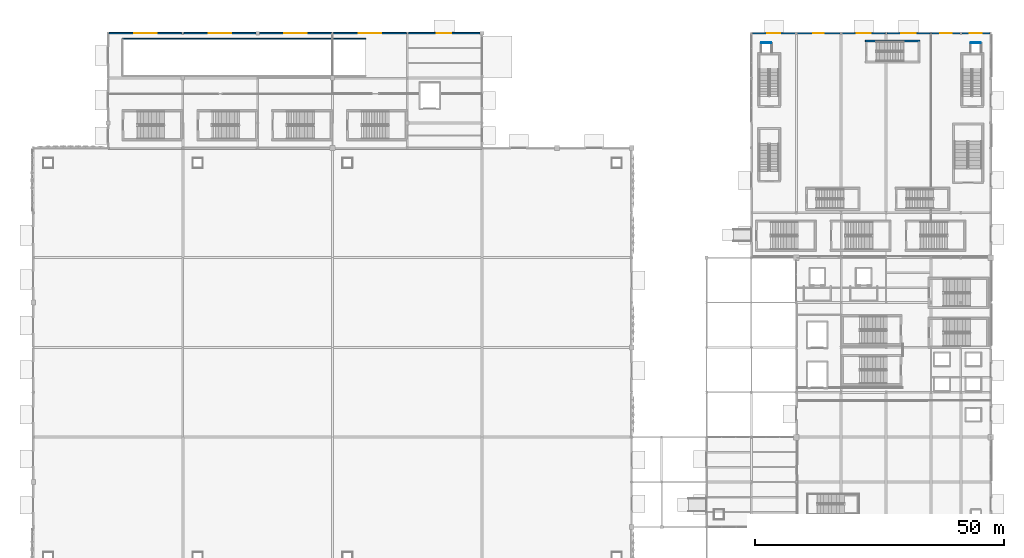
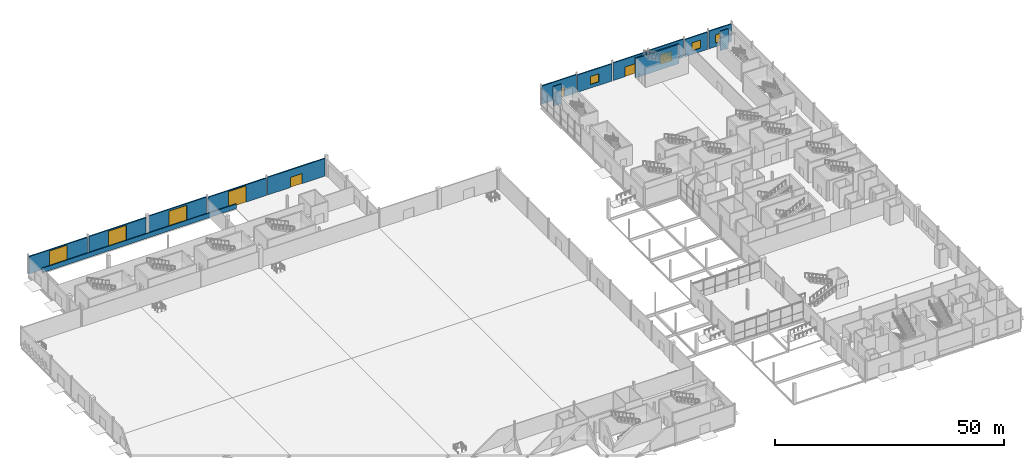
# One storey, part 64 of 94: 15 walls, 8 doors, 3 windows, 11 openings.
"""IFC4 building model written with IfcOpenShell, lengths in metres."""

from ifc_helpers import new_model, si_unit, direction, frame, frame_2d, origin, place, context, subcontext, project, spatial, rectangle, extrude, material, layer, layer_set, type_object, element, fill, save


model = new_model("IFC4")

# Units and contexts
model_context = context("Model", 3, precision=1e-05, world=origin(), true_north=direction((0.0, 1.0)))
body_context = subcontext(model_context, "Body", "Model", "MODEL_VIEW")
ifc_project = project(units=[si_unit("LENGTHUNIT", "METRE"), si_unit("AREAUNIT", "SQUARE_METRE"), si_unit("VOLUMEUNIT", "CUBIC_METRE"), si_unit("PLANEANGLEUNIT", "RADIAN"), si_unit("MASSUNIT", "GRAM", prefix="KILO")], contexts=[model_context])

# Site, building, storey
site_placement = place(None, origin())
site = spatial("IfcSite", under=ifc_project, at=site_placement, CompositionType="ELEMENT")
building_placement = place(site_placement, origin())
building = spatial("IfcBuilding", under=site, at=building_placement, Name="Qamarlyn Nura Convention Centre", CompositionType="ELEMENT")
storey_placement = place(building_placement, origin())
storey = spatial("IfcBuildingStorey", under=building, at=storey_placement, Name="L00", CompositionType="ELEMENT", Elevation=0.0)

# Wall
ifc_material_1 = material(Name="Concrete C50/60", Category="concrete")
ifc_layer_1 = layer(ifc_material_1, 0.35009765625, Name="WT-CORE-350")
ifc_layer_set_1 = layer_set([ifc_layer_1], Name="Concrete C50/60")
wall_type_1 = type_object("IfcWallType", Name="WT-CORE-350", PredefinedType="SHEAR", material=ifc_layer_set_1)
wall_1_placement = place(storey_placement, frame((177.75, 124.455078125, 0.0), z_axis=(0.0, 0.0, 1.0), x_axis=(-1.0, 0.0, 0.0)))
element("IfcWall", 1, at=wall_1_placement, inside=storey, type_object=wall_type_1, Name="L00 stair core shear wall ST-VOM5-N", PredefinedType="SHEAR", context=body_context, shape_type="SweptSolid", body=[
    extrude(rectangle(XDim=10.89990234375, YDim=0.35009765625, at=frame_2d((5.449951171875, 0.0))), origin(), (0.0, 0.0, 1.0), 5.159912109375),
])

# Wall, opening, door
ifc_material_2 = material(Name="Concrete C40/50", Category="concrete")
ifc_layer_2 = layer(ifc_material_2, 0.280029296875, Name="WT-EXT-280")
ifc_layer_set_2 = layer_set([ifc_layer_2], Name="Concrete C40/50")
wall_type_2 = type_object("IfcWallType", Name="WT-EXT-280", PredefinedType="SOLIDWALL", material=ifc_layer_set_2)
wall_2_placement = place(storey_placement, frame((144.175048828125, 126.0, 0.0), z_axis=(0.0, 0.0, 1.0), x_axis=(1.0, 0.0, 0.0)))
wall_2 = element("IfcWall", 2, at=wall_2_placement, inside=storey, type_object=wall_type_2, Name="L00 exterior facade wall WEXT-L00-1442-1260-1528-1260", PredefinedType="SOLIDWALL", context=body_context, shape_type="SweptSolid", body=[
    extrude(rectangle(XDim=8.64990234375, YDim=0.280029296875, at=frame_2d((4.324951171875, 0.0))), origin(), (0.0, 0.0, 1.0), 4.844970703125),
])
opening_1_placement = place(wall_2_placement, frame((3.0, 0.0, 0.0)))
opening_1 = element("IfcOpeningElement", 3, at=opening_1_placement, cuts=wall_2, Name="Opening E-53", PredefinedType="OPENING", context=body_context, shape_type="SweptSolid", body=[
    extrude(rectangle(XDim=2.64990234375, YDim=2.52001953125, at=frame_2d((1.324951171875, 1.260009765625))), frame((0.0, 0.14990234375, 0.0), z_axis=(0.0, -1.0, 0.0), x_axis=(1.0, 0.0, 0.0)), (0.0, 0.0, 1.0), 0.300048828125),
])
ifc_material_3 = material(Name="Champagne-anodised marine aluminium", Category="aluminium")
door_type_1 = type_object("IfcDoorType", Name="DR-EXIT-2650", OperationType="DOUBLE_DOOR_SINGLE_SWING", PredefinedType="DOOR", material=ifc_material_3)
door_1_placement = place(opening_1_placement, origin())
door_1 = element("IfcDoor", 4, at=door_1_placement, inside=storey, type_object=door_type_1, Name="Final exit E-53", OperationType="DOUBLE_DOOR_SINGLE_SWING", OverallHeight=2.52001953125, OverallWidth=2.64990234375, PredefinedType="DOOR", context=body_context, shape_type="SweptSolid", body=[
    extrude(rectangle(XDim=2.64990234375, YDim=2.52001953125, at=frame_2d((1.324951171875, 1.260009765625))), frame((0.0, 0.02490234375, 0.0), z_axis=(0.0, -1.0, 0.0), x_axis=(1.0, 0.0, 0.0)), (0.0, 0.0, 1.0), 0.050048828125),
])
fill(opening_1, door_1)

# Wall, opening, window
wall_3_placement = place(storey_placement, frame((153.175048828125, 126.0, 0.0), z_axis=(0.0, 0.0, 1.0), x_axis=(1.0, 0.0, 0.0)))
wall_3 = element("IfcWall", 5, at=wall_3_placement, inside=storey, type_object=wall_type_2, Name="L00 exterior facade wall WEXT-L00-1532-1260-1618-1260", PredefinedType="SOLIDWALL", context=body_context, shape_type="SweptSolid", body=[
    extrude(rectangle(XDim=8.625, YDim=0.280029296875, at=frame_2d((4.3125, 0.0))), origin(), (0.0, 0.0, 1.0), 4.60595703125),
])
opening_2_placement = place(wall_3_placement, frame((3.262451171875, 0.0, 0.949951171875)))
opening_2 = element("IfcOpeningElement", 6, at=opening_2_placement, cuts=wall_3, Name="Opening WN17", PredefinedType="OPENING", context=body_context, shape_type="SweptSolid", body=[
    extrude(rectangle(XDim=2.10009765625, YDim=2.14990234375, at=frame_2d((1.050048828125, 1.074951171875))), frame((0.0, 0.14990234375, 0.0), z_axis=(0.0, -1.0, 0.0), x_axis=(1.0, 0.0, 0.0)), (0.0, 0.0, 1.0), 0.300048828125),
])
ifc_material_4 = material(Name="Double-silver low-E insulated glass", Category="glass")
window_type_1 = type_object("IfcWindowType", Name="WIN-SOL-17", PartitioningType="SINGLE_PANEL", PredefinedType="WINDOW", material=ifc_material_4)
window_1_placement = place(opening_2_placement, origin())
window_1 = element("IfcWindow", 7, at=window_1_placement, inside=storey, type_object=window_type_1, Name="L00 solar-control window 017", OverallHeight=2.14990234375, OverallWidth=2.10009765625, PartitioningType="SINGLE_PANEL", PredefinedType="WINDOW", context=body_context, shape_type="SweptSolid", body=[
    extrude(rectangle(XDim=2.10009765625, YDim=2.14990234375, at=frame_2d((1.050048828125, 1.074951171875))), frame((0.0, 0.030029296875, 0.0), z_axis=(0.0, -1.0, 0.0), x_axis=(1.0, 0.0, 0.0)), (0.0, 0.0, 1.0), 0.06005859375),
])
fill(opening_2, window_1)

# Wall, opening, door
wall_4_placement = place(storey_placement, frame((162.199951171875, 126.0, 0.0), z_axis=(0.0, 0.0, 1.0), x_axis=(1.0, 0.0, 0.0)))
wall_4 = element("IfcWall", 8, at=wall_4_placement, inside=storey, type_object=wall_type_2, Name="L00 exterior facade wall WEXT-L00-1622-1260-1708-1260", PredefinedType="SOLIDWALL", context=body_context, shape_type="SweptSolid", body=[
    extrude(rectangle(XDim=8.6005859375, YDim=0.280029296875, at=frame_2d((4.30029296875, 0.0))), origin(), (0.0, 0.0, 1.0), 4.678955078125),
])
opening_3_placement = place(wall_4_placement, frame((2.92529296875, 0.0, 0.0)))
opening_3 = element("IfcOpeningElement", 9, at=opening_3_placement, cuts=wall_4, Name="Opening E-54", PredefinedType="OPENING", context=body_context, shape_type="SweptSolid", body=[
    extrude(rectangle(XDim=2.75, YDim=2.580078125, at=frame_2d((1.375, 1.2900390625))), frame((0.0, 0.14990234375, 0.0), z_axis=(0.0, -1.0, 0.0), x_axis=(1.0, 0.0, 0.0)), (0.0, 0.0, 1.0), 0.300048828125),
])
door_type_2 = type_object("IfcDoorType", Name="DR-MAIN-2750", OperationType="DOUBLE_DOOR_SINGLE_SWING", PredefinedType="DOOR", material=ifc_material_3)
door_2_placement = place(opening_3_placement, origin())
door_2 = element("IfcDoor", 10, at=door_2_placement, inside=storey, type_object=door_type_2, Name="Final exit E-54", OperationType="DOUBLE_DOOR_SINGLE_SWING", OverallHeight=2.580078125, OverallWidth=2.75, PredefinedType="DOOR", context=body_context, shape_type="SweptSolid", body=[
    extrude(rectangle(XDim=2.75, YDim=2.580078125, at=frame_2d((1.375, 1.2900390625))), frame((0.0, 0.02490234375, 0.0), z_axis=(0.0, -1.0, 0.0), x_axis=(1.0, 0.0, 0.0)), (0.0, 0.0, 1.0), 0.050048828125),
])
fill(opening_3, door_2)

wall_5_placement = place(storey_placement, frame((171.199462890625, 126.0, 0.0), z_axis=(0.0, 0.0, 1.0), x_axis=(1.0, 0.0, 0.0)))
wall_5 = element("IfcWall", 11, at=wall_5_placement, inside=storey, type_object=wall_type_2, Name="L00 exterior facade wall WEXT-L00-1712-1260-1798-1260", PredefinedType="SOLIDWALL", context=body_context, shape_type="SweptSolid", body=[
    extrude(rectangle(XDim=8.613525390625, YDim=0.280029296875, at=frame_2d((4.306640625, 0.0))), origin(), (0.0, 0.0, 1.0), 4.844970703125),
])
opening_4_placement = place(wall_5_placement, frame((2.881591796875, 0.0, 0.0)))
opening_4 = element("IfcOpeningElement", 12, at=opening_4_placement, cuts=wall_5, Name="Opening E-55", PredefinedType="OPENING", context=body_context, shape_type="SweptSolid", body=[
    extrude(rectangle(XDim=2.85009765625, YDim=2.6201171875, at=frame_2d((1.425048828125, 1.31005859375))), frame((0.0, 0.14990234375, 0.0), z_axis=(0.0, -1.0, 0.0), x_axis=(1.0, 0.0, 0.0)), (0.0, 0.0, 1.0), 0.300048828125),
])
door_type_3 = type_object("IfcDoorType", Name="DR-MAIN-2850", OperationType="DOUBLE_DOOR_SINGLE_SWING", PredefinedType="DOOR", material=ifc_material_3)
door_3_placement = place(opening_4_placement, origin())
door_3 = element("IfcDoor", 13, at=door_3_placement, inside=storey, type_object=door_type_3, Name="Final exit E-55", OperationType="DOUBLE_DOOR_SINGLE_SWING", OverallHeight=2.6201171875, OverallWidth=2.85009765625, PredefinedType="DOOR", context=body_context, shape_type="SweptSolid", body=[
    extrude(rectangle(XDim=2.85009765625, YDim=2.6201171875, at=frame_2d((1.425048828125, 1.31005859375))), frame((0.0, 0.02490234375, 0.0), z_axis=(0.0, -1.0, 0.0), x_axis=(1.0, 0.0, 0.0)), (0.0, 0.0, 1.0), 0.050048828125),
])
fill(opening_4, door_3)

# Wall, opening, window
wall_6_placement = place(storey_placement, frame((180.18701171875, 126.0, 0.0), z_axis=(0.0, 0.0, 1.0), x_axis=(1.0, 0.0, 0.0)))
wall_6 = element("IfcWall", 14, at=wall_6_placement, inside=storey, type_object=wall_type_2, Name="L00 exterior facade wall WEXT-L00-1802-1260-1858-1260", PredefinedType="SOLIDWALL", context=body_context, shape_type="SweptSolid", body=[
    extrude(rectangle(XDim=5.637939453125, YDim=0.280029296875, at=frame_2d((2.81884765625, 0.0))), origin(), (0.0, 0.0, 1.0), 4.60595703125),
])
opening_5_placement = place(wall_6_placement, frame((1.694091796875, 0.0, 0.949951171875)))
opening_5 = element("IfcOpeningElement", 15, at=opening_5_placement, cuts=wall_6, Name="Opening WN18", PredefinedType="OPENING", context=body_context, shape_type="SweptSolid", body=[
    extrude(rectangle(XDim=2.25, YDim=2.14990234375, at=frame_2d((1.125, 1.074951171875))), frame((0.0, 0.14990234375, 0.0), z_axis=(0.0, -1.0, 0.0), x_axis=(1.0, 0.0, 0.0)), (0.0, 0.0, 1.0), 0.300048828125),
])
window_type_2 = type_object("IfcWindowType", Name="WIN-SOL-18", PartitioningType="SINGLE_PANEL", PredefinedType="WINDOW", material=ifc_material_4)
window_2_placement = place(opening_5_placement, origin())
window_2 = element("IfcWindow", 16, at=window_2_placement, inside=storey, type_object=window_type_2, Name="L00 solar-control window 018", OverallHeight=2.14990234375, OverallWidth=2.25, PartitioningType="SINGLE_PANEL", PredefinedType="WINDOW", context=body_context, shape_type="SweptSolid", body=[
    extrude(rectangle(XDim=2.25, YDim=2.14990234375, at=frame_2d((1.125, 1.074951171875))), frame((0.0, 0.030029296875, 0.0), z_axis=(0.0, -1.0, 0.0), x_axis=(1.0, 0.0, 0.0)), (0.0, 0.0, 1.0), 0.06005859375),
])
fill(opening_5, window_2)

wall_7_placement = place(storey_placement, frame((186.175048828125, 126.0, 0.0), z_axis=(0.0, 0.0, 1.0), x_axis=(1.0, 0.0, 0.0)))
wall_7 = element("IfcWall", 17, at=wall_7_placement, inside=storey, type_object=wall_type_2, Name="L00 exterior facade wall WEXT-L00-1862-1260-1918-1260", PredefinedType="SOLIDWALL", context=body_context, shape_type="SweptSolid", body=[
    extrude(rectangle(XDim=5.637939453125, YDim=0.280029296875, at=frame_2d((2.81884765625, 0.0))), origin(), (0.0, 0.0, 1.0), 4.678955078125),
])
opening_6_placement = place(wall_7_placement, frame((1.618896484375, 0.0, 0.949951171875)))
opening_6 = element("IfcOpeningElement", 18, at=opening_6_placement, cuts=wall_7, Name="Opening WN19", PredefinedType="OPENING", context=body_context, shape_type="SweptSolid", body=[
    extrude(rectangle(XDim=2.39990234375, YDim=2.199951171875, at=frame_2d((1.199951171875, 1.10009765625))), frame((0.0, 0.14990234375, 0.0), z_axis=(0.0, -1.0, 0.0), x_axis=(1.0, 0.0, 0.0)), (0.0, 0.0, 1.0), 0.300048828125),
])
window_type_3 = type_object("IfcWindowType", Name="WIN-SOL-19", PartitioningType="SINGLE_PANEL", PredefinedType="WINDOW", material=ifc_material_4)
window_3_placement = place(opening_6_placement, origin())
window_3 = element("IfcWindow", 19, at=window_3_placement, inside=storey, type_object=window_type_3, Name="L00 solar-control window 019", OverallHeight=2.199951171875, OverallWidth=2.39990234375, PartitioningType="SINGLE_PANEL", PredefinedType="WINDOW", context=body_context, shape_type="SweptSolid", body=[
    extrude(rectangle(XDim=2.39990234375, YDim=2.199951171875, at=frame_2d((1.199951171875, 1.10009765625))), frame((0.0, 0.030029296875, 0.0), z_axis=(0.0, -1.0, 0.0), x_axis=(1.0, 0.0, 0.0)), (0.0, 0.0, 1.0), 0.06005859375),
])
fill(opening_6, window_3)

# Wall, opening, door
ifc_material_5 = material(Name="Concrete C40/50 with UAE coastal limestone stone facing", Category="masonry")
ifc_layer_3 = layer(ifc_material_5, 0.300048828125, Name="WT-LIME-300")
ifc_layer_set_3 = layer_set([ifc_layer_3], Name="Concrete C40/50 with UAE coastal limestone stone facing")
wall_type_3 = type_object("IfcWallType", Name="WT-LIME-300", PredefinedType="SOLIDWALL", material=ifc_layer_set_3)
wall_8_placement = place(storey_placement, frame((15.152587890625, 126.0, 0.0), z_axis=(0.0, 0.0, 1.0), x_axis=(1.0, 0.0, 0.0)))
wall_8 = element("IfcWall", 20, at=wall_8_placement, inside=storey, type_object=wall_type_3, Name="L00 exterior facade wall WEXT-L00-152-1260-298-1260", PredefinedType="SOLIDWALL", context=body_context, shape_type="SweptSolid", body=[
    extrude(rectangle(XDim=14.660400390625, YDim=0.300048828125, at=frame_2d((7.330078125, 0.0))), origin(), (0.0, 0.0, 1.0), 4.6259765625),
])
opening_7_placement = place(wall_8_placement, frame((5.080078125, 0.0, 0.0)))
opening_7 = element("IfcOpeningElement", 21, at=opening_7_placement, cuts=wall_8, Name="Opening VE-01", PredefinedType="OPENING", context=body_context, shape_type="SweptSolid", body=[
    extrude(rectangle(XDim=4.5, YDim=4.330078125, at=frame_2d((2.25, 2.1650390625))), frame((0.0, 0.16015625, 0.0), z_axis=(0.0, -1.0, 0.0), x_axis=(1.0, 0.0, 0.0)), (0.0, 0.0, 1.0), 0.320068359375),
])
ifc_material_6 = material(Name="Steel ASTM A500 Grade C", Category="steel")
door_type_4 = type_object("IfcDoorType", Name="DR-HGV-4500", OperationType="ROLLINGUP", PredefinedType="DOOR", material=ifc_material_6)
door_4_placement = place(opening_7_placement, origin())
door_4 = element("IfcDoor", 22, at=door_4_placement, inside=storey, type_object=door_type_4, Name="Vehicle loading door VE-01", OperationType="ROLLINGUP", OverallHeight=4.330078125, OverallWidth=4.5, PredefinedType="DOOR", context=body_context, shape_type="SweptSolid", body=[
    extrude(rectangle(XDim=4.5, YDim=4.330078125, at=frame_2d((2.25, 2.1650390625))), frame((0.0, 0.02490234375, 0.0), z_axis=(0.0, -1.0, 0.0), x_axis=(1.0, 0.0, 0.0)), (0.0, 0.0, 1.0), 0.050048828125),
])
fill(opening_7, door_4)

wall_9_placement = place(storey_placement, frame((30.18701171875, 126.0, 0.0), z_axis=(0.0, 0.0, 1.0), x_axis=(1.0, 0.0, 0.0)))
wall_9 = element("IfcWall", 23, at=wall_9_placement, inside=storey, type_object=wall_type_3, Name="L00 exterior facade wall WEXT-L00-302-1260-446-1260", PredefinedType="SOLIDWALL", context=body_context, shape_type="SweptSolid", body=[
    extrude(rectangle(XDim=14.43798828125, YDim=0.300048828125, at=frame_2d((7.218994140625, 0.0))), origin(), (0.0, 0.0, 1.0), 4.698974609375),
])
opening_8_placement = place(wall_9_placement, frame((4.968994140625, 0.0, 0.0)))
opening_8 = element("IfcOpeningElement", 24, at=opening_8_placement, cuts=wall_9, Name="Opening VE-02", PredefinedType="OPENING", context=body_context, shape_type="SweptSolid", body=[
    extrude(rectangle(XDim=4.5, YDim=4.39990234375, at=frame_2d((2.25, 2.199951171875))), frame((0.0, 0.16015625, 0.0), z_axis=(0.0, -1.0, 0.0), x_axis=(1.0, 0.0, 0.0)), (0.0, 0.0, 1.0), 0.320068359375),
])
door_5_placement = place(opening_8_placement, origin())
door_5 = element("IfcDoor", 25, at=door_5_placement, inside=storey, type_object=door_type_4, Name="Vehicle loading door VE-02", OperationType="ROLLINGUP", OverallHeight=4.39990234375, OverallWidth=4.5, PredefinedType="DOOR", context=body_context, shape_type="SweptSolid", body=[
    extrude(rectangle(XDim=4.5, YDim=4.39990234375, at=frame_2d((2.25, 2.199951171875))), frame((0.0, 0.02490234375, 0.0), z_axis=(0.0, -1.0, 0.0), x_axis=(1.0, 0.0, 0.0)), (0.0, 0.0, 1.0), 0.050048828125),
])
fill(opening_8, door_5)

wall_10_placement = place(storey_placement, frame((45.375, 126.0, 0.0), z_axis=(0.0, 0.0, 1.0), x_axis=(1.0, 0.0, 0.0)))
wall_10 = element("IfcWall", 26, at=wall_10_placement, inside=storey, type_object=wall_type_3, Name="L00 exterior facade wall WEXT-L00-454-1260-598-1260", PredefinedType="SOLIDWALL", context=body_context, shape_type="SweptSolid", body=[
    extrude(rectangle(XDim=14.43798828125, YDim=0.300048828125, at=frame_2d((7.218994140625, 0.0))), origin(), (0.0, 0.0, 1.0), 4.864990234375),
])
opening_9_placement = place(wall_10_placement, frame((4.968994140625, 0.0, 0.0)))
opening_9 = element("IfcOpeningElement", 27, at=opening_9_placement, cuts=wall_10, Name="Opening VE-03", PredefinedType="OPENING", context=body_context, shape_type="SweptSolid", body=[
    extrude(rectangle(XDim=4.5, YDim=4.39990234375, at=frame_2d((2.25, 2.199951171875))), frame((0.0, 0.16015625, 0.0), z_axis=(0.0, -1.0, 0.0), x_axis=(1.0, 0.0, 0.0)), (0.0, 0.0, 1.0), 0.320068359375),
])
door_6_placement = place(opening_9_placement, origin())
door_6 = element("IfcDoor", 28, at=door_6_placement, inside=storey, type_object=door_type_4, Name="Vehicle loading door VE-03", OperationType="ROLLINGUP", OverallHeight=4.39990234375, OverallWidth=4.5, PredefinedType="DOOR", context=body_context, shape_type="SweptSolid", body=[
    extrude(rectangle(XDim=4.5, YDim=4.39990234375, at=frame_2d((2.25, 2.199951171875))), frame((0.0, 0.02490234375, 0.0), z_axis=(0.0, -1.0, 0.0), x_axis=(1.0, 0.0, 0.0)), (0.0, 0.0, 1.0), 0.050048828125),
])
fill(opening_9, door_6)

wall_11_placement = place(storey_placement, frame((60.18701171875, 126.0, 0.0), z_axis=(0.0, 0.0, 1.0), x_axis=(1.0, 0.0, 0.0)))
wall_11 = element("IfcWall", 29, at=wall_11_placement, inside=storey, type_object=wall_type_3, Name="L00 exterior facade wall WEXT-L00-602-1260-748-1260", PredefinedType="SOLIDWALL", context=body_context, shape_type="SweptSolid", body=[
    extrude(rectangle(XDim=14.660400390625, YDim=0.300048828125, at=frame_2d((7.330078125, 0.0))), origin(), (0.0, 0.0, 1.0), 4.6259765625),
])
opening_10_placement = place(wall_11_placement, frame((5.080078125, 0.0, 0.0)))
opening_10 = element("IfcOpeningElement", 30, at=opening_10_placement, cuts=wall_11, Name="Opening VE-04", PredefinedType="OPENING", context=body_context, shape_type="SweptSolid", body=[
    extrude(rectangle(XDim=4.5, YDim=4.330078125, at=frame_2d((2.25, 2.1650390625))), frame((0.0, 0.16015625, 0.0), z_axis=(0.0, -1.0, 0.0), x_axis=(1.0, 0.0, 0.0)), (0.0, 0.0, 1.0), 0.320068359375),
])
door_7_placement = place(opening_10_placement, origin())
door_7 = element("IfcDoor", 31, at=door_7_placement, inside=storey, type_object=door_type_4, Name="Vehicle loading door VE-04", OperationType="ROLLINGUP", OverallHeight=4.330078125, OverallWidth=4.5, PredefinedType="DOOR", context=body_context, shape_type="SweptSolid", body=[
    extrude(rectangle(XDim=4.5, YDim=4.330078125, at=frame_2d((2.25, 2.1650390625))), frame((0.0, 0.02490234375, 0.0), z_axis=(0.0, -1.0, 0.0), x_axis=(1.0, 0.0, 0.0)), (0.0, 0.0, 1.0), 0.050048828125),
])
fill(opening_10, door_7)

wall_12_placement = place(storey_placement, frame((75.152587890625, 126.0, 0.0), z_axis=(0.0, 0.0, 1.0), x_axis=(1.0, 0.0, 0.0)))
wall_12 = element("IfcWall", 32, at=wall_12_placement, inside=storey, type_object=wall_type_3, Name="L00 exterior facade wall WEXT-L00-752-1260-896-1260", PredefinedType="SOLIDWALL", context=body_context, shape_type="SweptSolid", body=[
    extrude(rectangle(XDim=14.472412109375, YDim=0.300048828125, at=frame_2d((7.236328125, 0.0))), origin(), (0.0, 0.0, 1.0), 4.698974609375),
])
opening_11_placement = place(wall_12_placement, frame((5.76123046875, 0.0, 0.0)))
opening_11 = element("IfcOpeningElement", 33, at=opening_11_placement, cuts=wall_12, Name="Opening E-32", PredefinedType="OPENING", context=body_context, shape_type="SweptSolid", body=[
    extrude(rectangle(XDim=2.949951171875, YDim=2.679931640625, at=frame_2d((1.47509765625, 1.33984375))), frame((0.0, 0.16015625, 0.0), z_axis=(0.0, -1.0, 0.0), x_axis=(1.0, 0.0, 0.0)), (0.0, 0.0, 1.0), 0.320068359375),
])
door_type_5 = type_object("IfcDoorType", Name="DR-MAIN-2950", OperationType="DOUBLE_DOOR_SINGLE_SWING", PredefinedType="DOOR", material=ifc_material_3)
door_8_placement = place(opening_11_placement, origin())
door_8 = element("IfcDoor", 34, at=door_8_placement, inside=storey, type_object=door_type_5, Name="Final exit E-32", OperationType="DOUBLE_DOOR_SINGLE_SWING", OverallHeight=2.679931640625, OverallWidth=2.949951171875, PredefinedType="DOOR", context=body_context, shape_type="SweptSolid", body=[
    extrude(rectangle(XDim=2.949951171875, YDim=2.679931640625, at=frame_2d((1.47509765625, 1.33984375))), frame((0.0, 0.02490234375, 0.0), z_axis=(0.0, -1.0, 0.0), x_axis=(1.0, 0.0, 0.0)), (0.0, 0.0, 1.0), 0.050048828125),
])
fill(opening_11, door_8)

# Walls
ifc_layer_4 = layer(ifc_material_2, 0.205078125, Name="WT-PAR-205")
ifc_layer_set_4 = layer_set([ifc_layer_4], Name="Concrete C40/50")
wall_type_4 = type_object("IfcWallType", Name="WT-PAR-205", PredefinedType="PARAPET", material=ifc_layer_set_4)
wall_13_placement = place(storey_placement, frame((66.699951171875, 124.89990234375, 0.0), z_axis=(0.0, 0.0, 1.0), x_axis=(-1.0, 0.0, 0.0)))
element("IfcWall", 35, at=wall_13_placement, inside=storey, type_object=wall_type_4, Name="L00 car park ramp opening guard wall N", PredefinedType="PARAPET", context=body_context, shape_type="SweptSolid", body=[
    extrude(rectangle(XDim=48.800048828125, YDim=0.205078125, at=frame_2d((24.39990234375, 0.0))), origin(), (0.0, 0.0, 1.0), 1.25),
])
ifc_material_7 = material(Name="Fire-rated acoustic gypsum board EI 60")
ifc_layer_5 = layer(ifc_material_7, 0.159912109375, Name="WT-PART-160")
ifc_layer_set_5 = layer_set([ifc_layer_5], Name="Fire-rated acoustic gypsum board EI 60")
wall_type_5 = type_object("IfcWallType", Name="WT-PART-160", PredefinedType="PARTITIONING", material=ifc_layer_set_5)
for number, where, z_axis, x_axis, name in (
    (36, (190.0, 124.080078125, 0.0), (0.0, 0.0, 1.0), (-1.0, 0.0, 0.0), "L00 interior partition L00-PLN-BKST-111-1"),
    (37, (148.0, 124.080078125, 0.0), (0.0, 0.0, 1.0), (-1.0, 0.0, 0.0), "L00 interior partition L00-PLN-FOY0-68-1"),
):
    element("IfcWall", number, at=place(storey_placement, frame(where, z_axis=z_axis, x_axis=x_axis)), inside=storey, type_object=wall_type_5, Name=name, PredefinedType="PARTITIONING", context=body_context, shape_type="SweptSolid", body=[
        extrude(rectangle(XDim=2.0, YDim=0.159912109375, at=frame_2d((1.0, 0.0))), origin(), (0.0, 0.0, 1.0), 5.179931640625),
    ])

save(model, "model.ifc")
